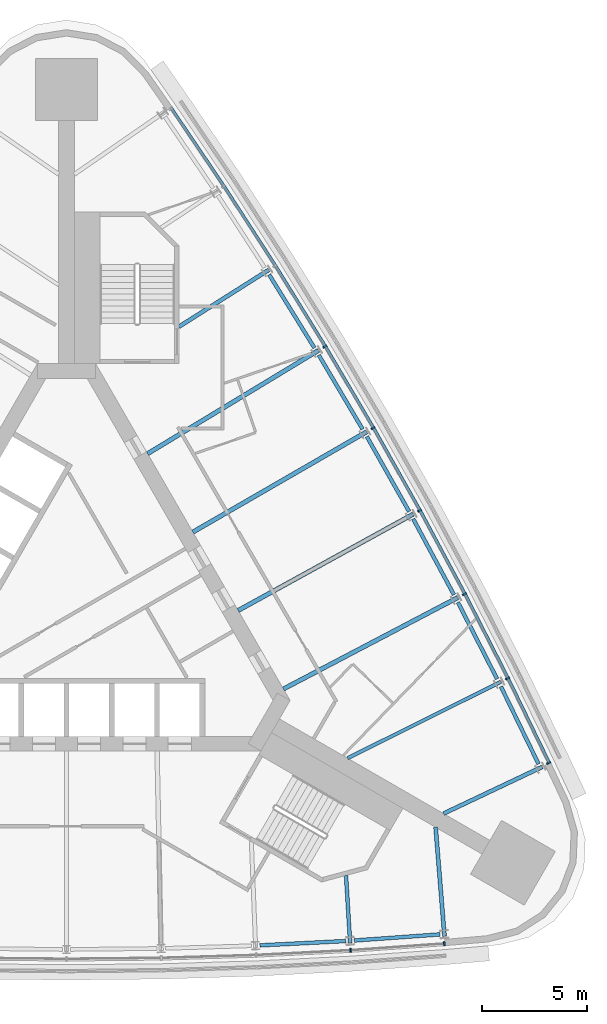
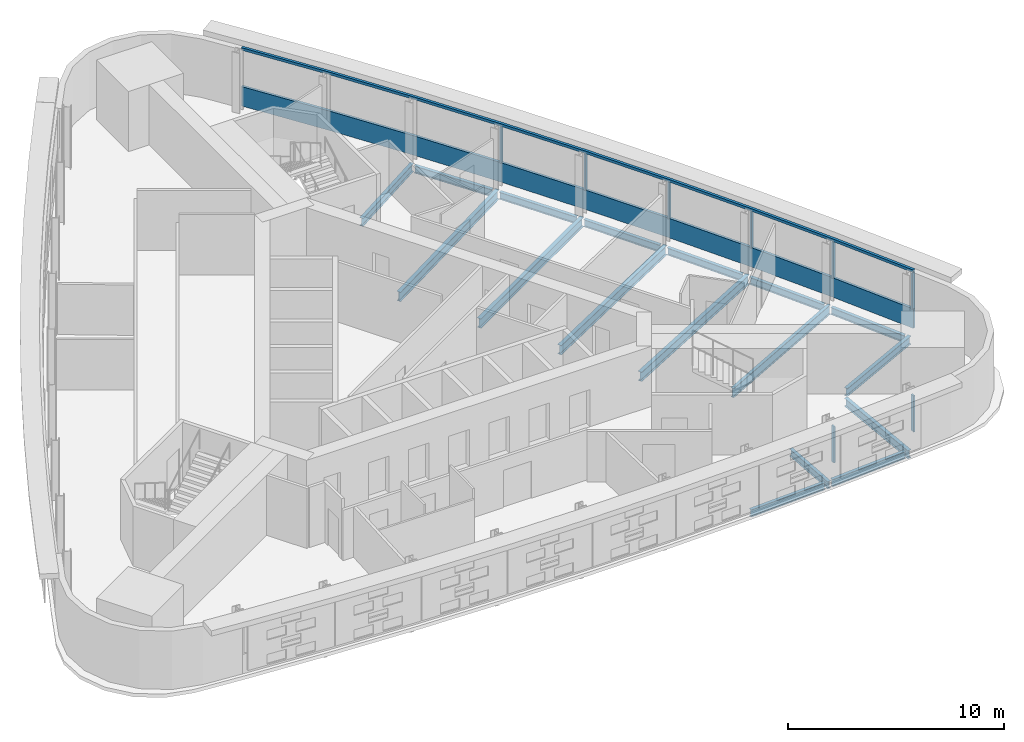
# One storey, part 4 of 11: 17 beams, 10 members, 2 elements without a shape of their own.
"""IFC4 building model written with IfcOpenShell, lengths in metres."""

from ifc_helpers import new_model, si_unit, direction, frame, origin, origin_2d, place, context, subcontext, project, spatial, polyline, rectangle, i_section, outline, extrude, material, material_profile, profile_set, type_object, element, aggregate, save


model = new_model("IFC4")

# Units and contexts
model_context = context("Model", 3, precision=1e-05, world=origin(), true_north=direction((0.0, 1.0)))
body_context = subcontext(model_context, "Body", "Model", "MODEL_VIEW")
ifc_project = project(units=[si_unit("LENGTHUNIT", "METRE"), si_unit("AREAUNIT", "SQUARE_METRE"), si_unit("VOLUMEUNIT", "CUBIC_METRE"), si_unit("PLANEANGLEUNIT", "RADIAN"), si_unit("MASSUNIT", "GRAM", prefix="KILO")], contexts=[model_context])

# Site, building, storey
site_placement = place(None, origin())
site = spatial("IfcSite", under=ifc_project, at=site_placement, CompositionType="ELEMENT")
building_placement = place(site_placement, origin())
building = spatial("IfcBuilding", under=site, at=building_placement, Name="Noor Cloister Tower", CompositionType="ELEMENT")
storey_placement = place(building_placement, frame((0.0, 0.0, 116.699951171875)))
storey = spatial("IfcBuildingStorey", under=building, at=storey_placement, Name="L30", CompositionType="ELEMENT", Elevation=116.699951171875)

# Curtain wall, member
ifc_material_1 = material(Name="Aluminium 6063-T6 anodised", Category="aluminium")
curtain_wall_type = type_object("IfcCurtainWallType", Name="Ribbon curtain wall, lower tower CW1", PredefinedType="NOTDEFINED", material=ifc_material_1)
curtain_wall_1_placement = place(storey_placement, origin())
curtain_wall_1 = element("IfcCurtainWall", 1, at=curtain_wall_1_placement, inside=storey, type_object=curtain_wall_type, Name="CW1 L30 NE run 3", PredefinedType="NOTDEFINED")
ifc_material_2 = material(Name="Aluminium 6063-T6 anodised", Category="aluminium")
member_type_1 = type_object("IfcMemberType", Name="Head transom CW1 150", PredefinedType="USERDEFINED", material=ifc_material_2)
member_1_placement = place(storey_placement, frame((0.0, 0.0, 3.150146484375)))
member_1 = element("IfcMember", 2, at=member_1_placement, type_object=member_type_1, Name="CW1 head transom", ObjectType="TRANSOM", PredefinedType="USERDEFINED", context=body_context, shape_type="SweptSolid", body=[
    extrude(outline(polyline([(22.992919921875, -7.48681640625), (21.025146484375, -3.43994140625), (18.9755859375, 0.566162109375), (16.845458984375, 4.52978515625), (14.635009765625, 8.449462890625), (12.345703125, 12.323486328125), (9.978271484375, 16.150390625), (7.533447265625, 19.92822265625), (5.0126953125, 23.65576171875), (4.896728515625, 23.577392578125), (7.416748046875, 19.85107421875), (9.85986328125, 16.075439453125), (12.225830078125, 12.251220703125), (14.513916015625, 8.379638671875), (16.72265625, 4.46240234375), (18.851806640625, 0.501220703125), (20.89990234375, -3.50244140625), (22.866943359375, -7.548095703125), (22.992919921875, -7.48681640625)])), origin(), (0.0, 0.0, 1.0), 0.14990234375),
])

# Curtain wall, members
curtain_wall_2_placement = place(storey_placement, origin())
curtain_wall_2 = element("IfcCurtainWall", 3, at=curtain_wall_2_placement, inside=storey, type_object=curtain_wall_type, Name="CW1 L30 S run 2", PredefinedType="NOTDEFINED")
ifc_material_3 = material(Name="Aluminium 6063-T6 anodised", Category="aluminium")
ifc_material_profile_1 = material_profile(ifc_material_3, rectangle(XDim=0.199951171875, YDim=0.080078125, at=origin_2d()), Name="200 x 80 mullion")
ifc_profile_set_1 = profile_set([ifc_material_profile_1], Name="Aluminium 6063-T6 anodised")
member_type_2 = type_object("IfcMemberType", Name="Mullion CW1 80 x 200", PredefinedType="MULLION", material=ifc_profile_set_1)
member_2_placement = place(storey_placement, frame((13.485595703125, -16.388427734375, 1.10009765625), z_axis=(0.0, 0.0, 1.0), x_axis=(-0.060846806136, 0.998147116503, 0.0)))
member_2 = element("IfcMember", 4, at=member_2_placement, type_object=member_type_2, Name="CW1 mullion 8", PredefinedType="MULLION", context=body_context, shape_type="SweptSolid", body=[
    extrude(rectangle(XDim=0.199951171875, YDim=0.080078125, at=origin_2d()), origin(), (0.0, 0.0, 1.0), 2.050048828125),
])
member_3_placement = place(storey_placement, frame((17.933349609375, -16.072021484375, 1.10009765625), z_axis=(0.0, 0.0, 1.0), x_axis=(-0.070972094341, 0.997478301431, 0.0)))
member_3 = element("IfcMember", 5, at=member_3_placement, type_object=member_type_2, Name="CW1 mullion 9", PredefinedType="MULLION", context=body_context, shape_type="SweptSolid", body=[
    extrude(rectangle(XDim=0.199951171875, YDim=0.080078125, at=origin_2d()), origin(), (0.0, 0.0, 1.0), 2.050048828125),
])
aggregate(curtain_wall_2, [member_2, member_3])

# Member
member_4_placement = place(storey_placement, frame((22.885498046875, -7.49462890625, 1.10009765625), z_axis=(0.0, 0.0, 1.0), x_axis=(-0.899327595933, -0.437275514056, 0.0)))
member_4 = element("IfcMember", 6, at=member_4_placement, type_object=member_type_2, Name="CW1 mullion 1", PredefinedType="MULLION", context=body_context, shape_type="SweptSolid", body=[
    extrude(rectangle(XDim=0.199951171875, YDim=0.080078125, at=origin_2d()), origin(), (0.0, 0.0, 1.0), 2.050048828125),
])

member_5_placement = place(storey_placement, frame((20.935546875, -3.484619140625, 1.10009765625), z_axis=(0.0, 0.0, 1.0), x_axis=(-0.894844162674, -0.446378678398, 0.0)))
member_5 = element("IfcMember", 7, at=member_5_placement, type_object=member_type_2, Name="CW1 mullion 2", PredefinedType="MULLION", context=body_context, shape_type="SweptSolid", body=[
    extrude(rectangle(XDim=0.199951171875, YDim=0.080078125, at=origin_2d()), origin(), (0.0, 0.0, 1.0), 2.050048828125),
])

member_6_placement = place(storey_placement, frame((18.88720703125, 0.519775390625, 1.10009765625), z_axis=(0.0, 0.0, 1.0), x_axis=(-0.885601336169, -0.464446200733, 0.0)))
member_6 = element("IfcMember", 8, at=member_6_placement, type_object=member_type_2, Name="CW1 mullion 3", PredefinedType="MULLION", context=body_context, shape_type="SweptSolid", body=[
    extrude(rectangle(XDim=0.199951171875, YDim=0.080078125, at=origin_2d()), origin(), (0.0, 0.0, 1.0), 2.050048828125),
])

member_7_placement = place(storey_placement, frame((16.7578125, 4.481689453125, 1.10009765625), z_axis=(0.0, 0.0, 1.0), x_axis=(-0.875993769707, -0.482322418549, 0.0)))
member_7 = element("IfcMember", 9, at=member_7_placement, type_object=member_type_2, Name="CW1 mullion 4", PredefinedType="MULLION", context=body_context, shape_type="SweptSolid", body=[
    extrude(rectangle(XDim=0.199951171875, YDim=0.080078125, at=origin_2d()), origin(), (0.0, 0.0, 1.0), 2.050048828125),
])

member_8_placement = place(storey_placement, frame((14.548583984375, 8.399658203125, 1.10009765625), z_axis=(0.0, 0.0, 1.0), x_axis=(-0.866025403784, -0.5, 0.0)))
member_8 = element("IfcMember", 10, at=member_8_placement, type_object=member_type_2, Name="CW1 mullion 5", PredefinedType="MULLION", context=body_context, shape_type="SweptSolid", body=[
    extrude(rectangle(XDim=0.199951171875, YDim=0.080078125, at=origin_2d()), origin(), (0.0, 0.0, 1.0), 2.050048828125),
])

member_9_placement = place(storey_placement, frame((12.26025390625, 12.271728515625, 1.10009765625), z_axis=(0.0, 0.0, 1.0), x_axis=(-0.855700352132, -0.517471648848, 0.0)))
member_9 = element("IfcMember", 11, at=member_9_placement, type_object=member_type_2, Name="CW1 mullion 6", PredefinedType="MULLION", context=body_context, shape_type="SweptSolid", body=[
    extrude(rectangle(XDim=0.199951171875, YDim=0.080078125, at=origin_2d()), origin(), (0.0, 0.0, 1.0), 2.050048828125),
])

# Beams
ifc_material_4 = material(Name="Steel ASTM A992 Gr 50", Category="steel")
ifc_material_profile_2 = material_profile(ifc_material_4, i_section(OverallWidth=0.177978515625, OverallDepth=0.406005859375, WebThickness=0.0078125, FlangeThickness=0.0126953125, FilletRadius=0.01025390625, at=origin_2d()), Name="W410x60")
ifc_profile_set_2 = profile_set([ifc_material_profile_2], Name="Steel ASTM A992 Gr 50")
beam_type_1 = type_object("IfcBeamType", Name="Radial beam W410x60", PredefinedType="BEAM", material=ifc_profile_set_2)
beam_1_placement = place(storey_placement, frame((13.46435546875, -16.03955078125, -0.40283203125), z_axis=(-0.060867192533, 0.998145873544, 0.0), x_axis=(-0.998145873544, -0.060867192533, 0.0)))
element("IfcBeam", 12, at=beam_1_placement, inside=storey, type_object=beam_type_1, Name="Radial beam S 08 L30", PredefinedType="BEAM", context=body_context, shape_type="SweptSolid", body=[
    extrude(i_section(OverallWidth=0.177978515625, OverallDepth=0.406005859375, WebThickness=0.0078125, FlangeThickness=0.0126953125, FilletRadius=0.01025390625, at=origin_2d()), origin(), (0.0, 0.0, 1.0), 3.208740234375),
])
ifc_material_5 = material(Name="Steel ASTM A992 Gr 50", Category="steel")
ifc_material_profile_3 = material_profile(ifc_material_5, i_section(OverallWidth=0.19091796875, OverallDepth=0.45703125, WebThickness=0.009033203125, FlangeThickness=0.014404296875, FilletRadius=0.01025390625, at=origin_2d()), Name="W460x74")
ifc_profile_set_3 = profile_set([ifc_material_profile_3], Name="Steel ASTM A992 Gr 50")
beam_type_2 = type_object("IfcBeamType", Name="Radial beam W460x74", PredefinedType="BEAM", material=ifc_profile_set_3)
for number, where, z_axis, x_axis, name in (
    (13, (17.94384765625, -15.720947265625, -0.428466796875), (-0.08108247603, 0.996707395418, 0.0), (-0.996707395418, -0.08108247603, 0.0), "Radial beam S 09 L30"),
    (14, (22.586669921875, -7.67919921875, -0.428466796875), (-0.903712923998, -0.428138938895, 0.0), (0.428138938895, -0.903712923998, 0.0), "Radial beam NE 01 L30"),
):
    element("IfcBeam", number, at=place(storey_placement, frame(where, z_axis=z_axis, x_axis=x_axis)), inside=storey, type_object=beam_type_2, Name=name, PredefinedType="BEAM", context=body_context, shape_type="SweptSolid", body=[
        extrude(i_section(OverallWidth=0.19091796875, OverallDepth=0.45703125, WebThickness=0.009033203125, FlangeThickness=0.014404296875, FilletRadius=0.01025390625, at=origin_2d()), origin(), (0.0, 0.0, 1.0), 5.18798828125),
    ])
beam_2_placement = place(storey_placement, frame((9.598388671875, 15.909912109375, -0.428466796875), z_axis=(-0.845037776893, -0.534706607051, 0.0), x_axis=(0.534706607051, -0.845037776893, 0.0)))
element("IfcBeam", 15, at=beam_2_placement, inside=storey, type_object=beam_type_2, Name="Radial beam NE 07 L30", PredefinedType="BEAM", context=body_context, shape_type="SweptSolid", body=[
    extrude(i_section(OverallWidth=0.19091796875, OverallDepth=0.45703125, WebThickness=0.009033203125, FlangeThickness=0.014404296875, FilletRadius=0.01025390625, at=origin_2d()), origin(), (0.0, 0.0, 1.0), 5.04443359375),
])
ifc_material_6 = material(Name="Steel ASTM A992 Gr 50", Category="steel")
ifc_material_profile_4 = material_profile(ifc_material_6, i_section(OverallWidth=0.166015625, OverallDepth=0.528076171875, WebThickness=0.009765625, FlangeThickness=0.013671875, FilletRadius=0.0126953125, at=origin_2d()), Name="W530x74")
ifc_profile_set_4 = profile_set([ifc_material_profile_4], Name="Steel ASTM A992 Gr 50")
beam_type_3 = type_object("IfcBeamType", Name="Radial beam W530x74", PredefinedType="BEAM", material=ifc_profile_set_4)
beam_3_placement = place(storey_placement, frame((20.622802734375, -3.640625, -0.4638671875), z_axis=(-0.894835035087, -0.446396975775, 0.0), x_axis=(0.446396975775, -0.894835035087, 0.0)))
element("IfcBeam", 16, at=beam_3_placement, inside=storey, type_object=beam_type_3, Name="Radial beam NE 02 L30", PredefinedType="BEAM", context=body_context, shape_type="SweptSolid", body=[
    extrude(i_section(OverallWidth=0.166015625, OverallDepth=0.528076171875, WebThickness=0.009765625, FlangeThickness=0.013671875, FilletRadius=0.0126953125, at=origin_2d()), origin(), (0.0, 0.0, 1.0), 8.1337890625),
])
ifc_material_7 = material(Name="Steel ASTM A992 Gr 50", Category="steel")
ifc_material_profile_5 = material_profile(ifc_material_7, i_section(OverallWidth=0.208984375, OverallDepth=0.532958984375, WebThickness=0.01025390625, FlangeThickness=0.015625, FilletRadius=0.0126953125, at=origin_2d()), Name="W530x92")
ifc_profile_set_5 = profile_set([ifc_material_profile_5], Name="Steel ASTM A992 Gr 50")
beam_type_4 = type_object("IfcBeamType", Name="Radial beam W530x92", PredefinedType="BEAM", material=ifc_profile_set_5)
beam_4_placement = place(storey_placement, frame((18.57763671875, 0.357421875, -0.466552734375), z_axis=(-0.885603411569, -0.46444224336, 0.0), x_axis=(0.46444224336, -0.885603411569, 0.0)))
element("IfcBeam", 17, at=beam_4_placement, inside=storey, type_object=beam_type_4, Name="Radial beam NE 03 L30", PredefinedType="BEAM", context=body_context, shape_type="SweptSolid", body=[
    extrude(i_section(OverallWidth=0.208984375, OverallDepth=0.532958984375, WebThickness=0.01025390625, FlangeThickness=0.015625, FilletRadius=0.0126953125, at=origin_2d()), origin(), (0.0, 0.0, 1.0), 9.346923828125),
])
beam_5_placement = place(storey_placement, frame((16.45166015625, 4.31298828125, -0.466552734375), z_axis=(-0.875996641486, -0.482317202787, 0.0), x_axis=(0.482317202787, -0.875996641486, 0.0)))
element("IfcBeam", 18, at=beam_5_placement, inside=storey, type_object=beam_type_4, Name="Radial beam NE 04 L30", PredefinedType="BEAM", context=body_context, shape_type="SweptSolid", body=[
    extrude(i_section(OverallWidth=0.208984375, OverallDepth=0.532958984375, WebThickness=0.01025390625, FlangeThickness=0.015625, FilletRadius=0.0126953125, at=origin_2d()), origin(), (0.0, 0.0, 1.0), 9.477783203125),
])
beam_6_placement = place(storey_placement, frame((14.245849609375, 8.224853515625, -0.466552734375), z_axis=(-0.866025463095, -0.499999897272, 0.0), x_axis=(0.499999897272, -0.866025463095, 0.0)))
element("IfcBeam", 19, at=beam_6_placement, inside=storey, type_object=beam_type_4, Name="Radial beam NE 05 L30", PredefinedType="BEAM", context=body_context, shape_type="SweptSolid", body=[
    extrude(i_section(OverallWidth=0.208984375, OverallDepth=0.532958984375, WebThickness=0.01025390625, FlangeThickness=0.015625, FilletRadius=0.0126953125, at=origin_2d()), origin(), (0.0, 0.0, 1.0), 9.521484375),
])
beam_7_placement = place(storey_placement, frame((11.961181640625, 12.091064453125, -0.466552734375), z_axis=(-0.85570360183, -0.51746627505, 0.0), x_axis=(0.51746627505, -0.85570360183, 0.0)))
element("IfcBeam", 20, at=beam_7_placement, inside=storey, type_object=beam_type_4, Name="Radial beam NE 06 L30", PredefinedType="BEAM", context=body_context, shape_type="SweptSolid", body=[
    extrude(i_section(OverallWidth=0.208984375, OverallDepth=0.532958984375, WebThickness=0.01025390625, FlangeThickness=0.015625, FilletRadius=0.0126953125, at=origin_2d()), origin(), (0.0, 0.0, 1.0), 9.47802734375),
])

# Member
ifc_material_8 = material(Name="Aluminium 6063-T6 anodised", Category="aluminium")
member_type_3 = type_object("IfcMemberType", Name="Sill transom CW1 1100", PredefinedType="USERDEFINED", material=ifc_material_8)
member_10_placement = place(storey_placement, origin())
member_10 = element("IfcMember", 21, at=member_10_placement, type_object=member_type_3, Name="CW1 sill transom", ObjectType="TRANSOM", PredefinedType="USERDEFINED", context=body_context, shape_type="SweptSolid", body=[
    extrude(outline(polyline([(22.992919921875, -7.48681640625), (21.025146484375, -3.43994140625), (18.9755859375, 0.566162109375), (16.845458984375, 4.52978515625), (14.635009765625, 8.449462890625), (12.345703125, 12.323486328125), (9.978271484375, 16.150390625), (7.533447265625, 19.92822265625), (5.0126953125, 23.65576171875), (4.896728515625, 23.577392578125), (7.416748046875, 19.85107421875), (9.85986328125, 16.075439453125), (12.225830078125, 12.251220703125), (14.513916015625, 8.379638671875), (16.72265625, 4.46240234375), (18.851806640625, 0.501220703125), (20.89990234375, -3.50244140625), (22.866943359375, -7.548095703125), (22.992919921875, -7.48681640625)])), origin(), (0.0, 0.0, 1.0), 1.10009765625),
])

aggregate(curtain_wall_1, [member_4, member_5, member_6, member_7, member_8, member_9, member_10, member_1])

# Beams
ifc_material_9 = material(Name="Steel ASTM A992 Gr 50", Category="steel")
ifc_material_profile_6 = material_profile(ifc_material_9, i_section(OverallWidth=0.177978515625, OverallDepth=0.406005859375, WebThickness=0.0078125, FlangeThickness=0.0126953125, FilletRadius=0.01025390625, at=origin_2d()), Name="W410x60")
ifc_profile_set_6 = profile_set([ifc_material_profile_6], Name="Steel ASTM A992 Gr 50")
beam_type_5 = type_object("IfcBeamType", Name="Spandrel beam W410x60", PredefinedType="SPANDREL", material=ifc_profile_set_6)
beam_8_placement = place(storey_placement, frame((9.175537109375, -16.15673828125, -0.40283203125), z_axis=(0.998713616936, 0.050706127304, 0.0), x_axis=(-0.050706127304, 0.998713616936, 0.0)))
element("IfcBeam", 22, at=beam_8_placement, inside=storey, type_object=beam_type_5, Name="Spandrel beam S 07 L30", PredefinedType="SPANDREL", context=body_context, shape_type="SweptSolid", body=[
    extrude(i_section(OverallWidth=0.177978515625, OverallDepth=0.406005859375, WebThickness=0.0078125, FlangeThickness=0.0126953125, FilletRadius=0.01025390625, at=origin_2d()), origin(), (0.0, 0.0, 1.0), 4.087890625),
])
beam_9_placement = place(storey_placement, frame((13.658203125, -15.925048828125, -0.40283203125), z_axis=(0.997479576003, 0.07095417857, 0.0), x_axis=(-0.07095417857, 0.997479576003, 0.0)))
element("IfcBeam", 23, at=beam_9_placement, inside=storey, type_object=beam_type_5, Name="Spandrel beam S 08 L30", PredefinedType="SPANDREL", context=body_context, shape_type="SweptSolid", body=[
    extrude(i_section(OverallWidth=0.177978515625, OverallDepth=0.406005859375, WebThickness=0.0078125, FlangeThickness=0.0126953125, FilletRadius=0.01025390625, at=origin_2d()), origin(), (0.0, 0.0, 1.0), 4.087646484375),
])
for number, where, z_axis, x_axis, name in (
    (24, (22.408203125, -7.5419921875, -0.40283203125), (-0.437296029783, 0.899317620386, 0.0), (-0.899317620386, -0.437296029783, 0.0), "Spandrel beam NE 01 L30"),
    (25, (20.441650390625, -3.507080078125, -0.40283203125), (-0.455436177251, 0.890268436176, 0.0), (-0.890268436176, -0.455436177251, 0.0), "Spandrel beam NE 02 L30"),
    (26, (18.393798828125, 0.4873046875, -0.40283203125), (-0.473415891139, 0.880839028436, 0.0), (-0.880839028436, -0.473415891139, 0.0), "Spandrel beam NE 03 L30"),
    (27, (16.26513671875, 4.439208984375, -0.40283203125), (-0.491165510925, 0.87106626664, 0.0), (-0.87106626664, -0.491165510925, 0.0), "Spandrel beam NE 04 L30"),
    (28, (14.056884765625, 8.34716796875, -0.40283203125), (-0.508775589434, 0.860899180854, 0.0), (-0.860899180854, -0.508775589434, 0.0), "Spandrel beam NE 05 L30"),
    (29, (11.76953125, 12.20947265625, -0.40283203125), (-0.526111975174, 0.850415304177, 0.0), (-0.850415304177, -0.526111975174, 0.0), "Spandrel beam NE 06 L30"),
):
    element("IfcBeam", number, at=place(storey_placement, frame(where, z_axis=z_axis, x_axis=x_axis)), inside=storey, type_object=beam_type_5, Name=name, PredefinedType="SPANDREL", context=body_context, shape_type="SweptSolid", body=[
        extrude(i_section(OverallWidth=0.177978515625, OverallDepth=0.406005859375, WebThickness=0.0078125, FlangeThickness=0.0126953125, FilletRadius=0.01025390625, at=origin_2d()), origin(), (0.0, 0.0, 1.0), 4.087890625),
    ])

save(model, "model.ifc")
